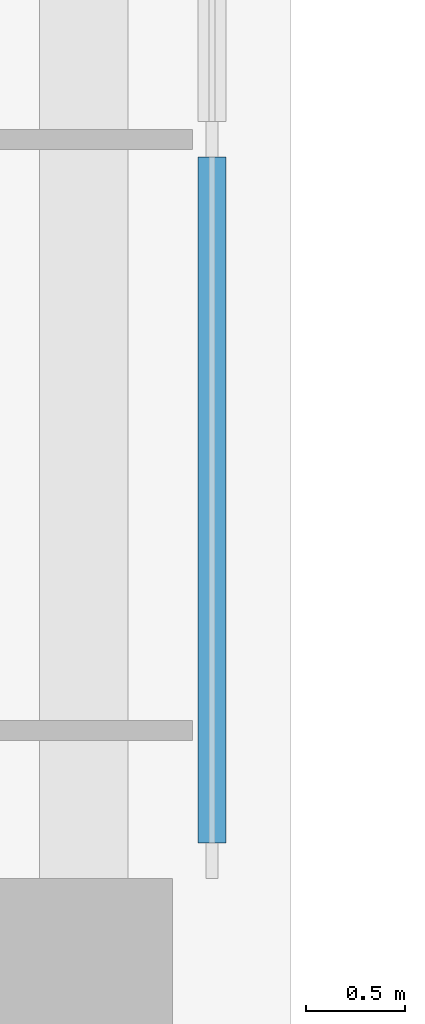
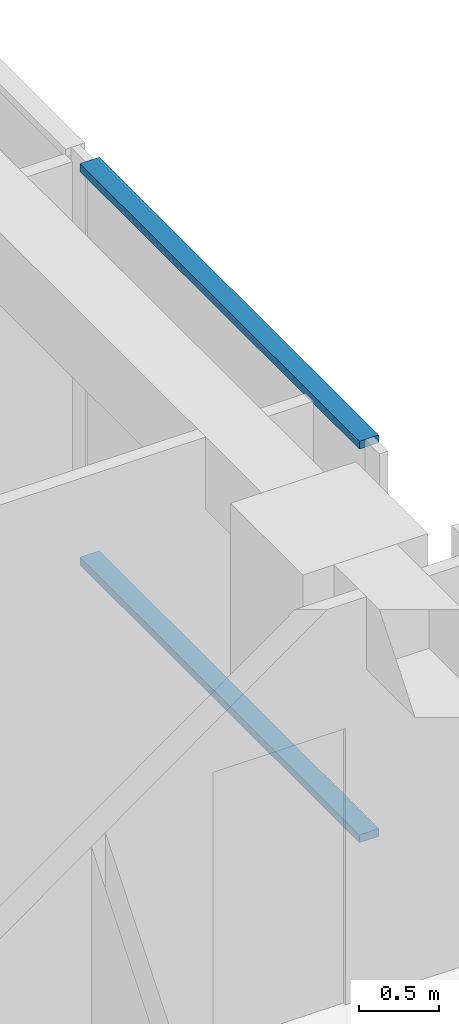
# One storey, part 5 of 18: 2 members, 1 element without a shape of its own.
"""IFC4 building model written with IfcOpenShell, lengths in metres."""

import ifcopenshell
import ifcopenshell.guid

model = None  # the IFC model being written
_history = None  # IfcOwnerHistory: only IFC2X3 demands one
_inside = {}  # id of a spatial element -> (the spatial element, [elements in it])
_under = {}  # id of a project, library or spatial element -> (it, [spatial elements below it])
_declared = {}  # id of a project -> (the project, [libraries it declares])
_typed = {}  # id of a type object -> (the type object, [elements of that type])
_made_of = {}  # id of a material, layer set ... -> (it, [elements and type objects made of it])


def new_model(schema):
    """Start an empty IFC model of exactly this schema.

    Asked for "IFC4X3", IfcOpenShell would pick the latest addendum, in which some entities
    have other attributes; the version numbers below select the first issue.
    IFC2X3 requires an IfcOwnerHistory on every rooted entity: one is made here for all.
    """
    global model, _history
    if schema == "IFC4X3":
        model = ifcopenshell.file(schema_version=(4, 3, 0, 0))
    else:
        model = ifcopenshell.file(schema=schema)
    _inside.clear()
    _under.clear()
    _declared.clear()
    _typed.clear()
    _made_of.clear()
    _history = None
    if model.schema == "IFC2X3":
        org = make("IfcOrganization", Name="unknown")
        user = make(
            "IfcPersonAndOrganization",
            ThePerson=make("IfcPerson", FamilyName="unknown"),
            TheOrganization=org,
        )
        app = make(
            "IfcApplication",
            ApplicationDeveloper=org,
            Version="unknown",
            ApplicationFullName="unknown",
            ApplicationIdentifier="unknown",
        )
        _history = make(
            "IfcOwnerHistory",
            OwningUser=user,
            OwningApplication=app,
            ChangeAction="ADDED",
            CreationDate=0,
        )
    return model


def make(cls, **values):
    """One entity of the class cls with the attributes given. An attribute that is None is left unset."""
    return model.create_entity(
        cls, **{name: value for name, value in values.items() if value is not None}
    )


def rooted(cls, **values):
    """An entity with a GlobalId (a new one), such as an element, a storey or a relation."""
    return make(cls, GlobalId=ifcopenshell.guid.new(), OwnerHistory=_history, **values)


def si_unit(unit_type, name, prefix=None):
    """IfcSIUnit, for example si_unit("LENGTHUNIT", "METRE", prefix="MILLI")."""
    return make("IfcSIUnit", UnitType=unit_type, Prefix=prefix, Name=name)


def assignment(units):
    """IfcUnitAssignment: the units of a project."""
    return None if units is None else make("IfcUnitAssignment", Units=units)


def point(xyz):
    """IfcCartesianPoint."""
    return None if xyz is None else make("IfcCartesianPoint", Coordinates=xyz)


def direction(xyz):
    """IfcDirection."""
    return None if xyz is None else make("IfcDirection", DirectionRatios=xyz)


def frame(location, z_axis=None, x_axis=None):
    """IfcAxis2Placement3D, a coordinate frame: its origin and axes. An axis left out is left unset."""
    return make(
        "IfcAxis2Placement3D",
        Location=point(location),
        Axis=direction(z_axis),
        RefDirection=direction(x_axis),
    )


def frame_2d(location, x_axis=None):
    """IfcAxis2Placement2D, a coordinate frame in the plane: its origin and x axis."""
    return make(
        "IfcAxis2Placement2D", Location=point(location), RefDirection=direction(x_axis)
    )


def origin():
    """The frame at (0, 0, 0) with its axes left unset."""
    return frame((0.0, 0.0, 0.0))


def origin_2d():
    """The frame at (0, 0) in the plane with its x axis left unset."""
    return frame_2d((0.0, 0.0))


def place(relative_to, where):
    """IfcLocalPlacement: puts the frame where relative to a parent placement (None: the world)."""
    return make(
        "IfcLocalPlacement", PlacementRelTo=relative_to, RelativePlacement=where
    )


def context(
    kind, dimensions, precision=None, world=None, true_north=None, identifier=None
):
    """IfcGeometricRepresentationContext, for example the 3D "Model" context."""
    return make(
        "IfcGeometricRepresentationContext",
        ContextIdentifier=identifier,
        ContextType=kind,
        CoordinateSpaceDimension=dimensions,
        Precision=precision,
        WorldCoordinateSystem=world,
        TrueNorth=true_north,
    )


def subcontext(parent, identifier, kind, view, scale=None):
    """IfcGeometricRepresentationSubContext, for example "Body" below "Model"."""
    return make(
        "IfcGeometricRepresentationSubContext",
        ContextIdentifier=identifier,
        ContextType=kind,
        ParentContext=parent,
        TargetScale=scale,
        TargetView=view,
    )


def project(units=None, contexts=None):
    """IfcProject with its units and contexts."""
    return rooted(
        "IfcProject",
        Name="project",
        RepresentationContexts=contexts,
        UnitsInContext=assignment(units),
    )


def spatial(cls, under=None, at=None, **own):
    """A site, building, storey or space (cls), placed at a placement, below another one or the project."""
    s = rooted(cls, ObjectPlacement=at, **own)
    if under is not None:
        _under.setdefault(under.id(), (under, []))[1].append(s)
    return s


def profile(cls, at=None, kind="AREA", **sizes):
    """A parametric profile (cls). Its sizes go by their IFC names, for example OverallWidth=200.0."""
    return make(cls, ProfileType=kind, Position=at, **sizes)


def rectangle(**sizes):
    """IfcRectangleProfileDef."""
    return profile("IfcRectangleProfileDef", **sizes)


def extrude(swept, where, along, depth):
    """IfcExtrudedAreaSolid: the profile swept, set in the frame where, extruded along a direction by depth."""
    return make(
        "IfcExtrudedAreaSolid",
        SweptArea=swept,
        Position=where,
        ExtrudedDirection=direction(along),
        Depth=depth,
    )


def shape(context_of_items, identifier, shape_type, items):
    """IfcShapeRepresentation: the items that make up one representation, for example the "Body"."""
    return make(
        "IfcShapeRepresentation",
        ContextOfItems=context_of_items,
        RepresentationIdentifier=identifier,
        RepresentationType=shape_type,
        Items=items,
    )


def material(Name=None, Category=None):
    """IfcMaterial."""
    return make("IfcMaterial", Name=Name, Category=Category)


def material_profile(
    of_material, cross_section, Name=None, Category=None, Priority=None
):
    """IfcMaterialProfile: a cross section and its material."""
    return make(
        "IfcMaterialProfile",
        Name=Name,
        Material=of_material,
        Profile=cross_section,
        Priority=Priority,
        Category=Category,
    )


def profile_set(profiles, Name=None, composite=None):
    """IfcMaterialProfileSet."""
    return make(
        "IfcMaterialProfileSet",
        Name=Name,
        MaterialProfiles=profiles,
        CompositeProfile=composite,
    )


def made_of(thing, what):
    """Note that an element or type object is made of a material, layer set ...; save() writes the relation."""
    if what is not None:
        _made_of.setdefault(what.id(), (what, []))[1].append(thing)
    return thing


def type_object(cls, material=None, **own):
    """A type object (cls), such as IfcWallType, which elements share."""
    return made_of(rooted(cls, **own), material)


def element(
    cls,
    number,
    at=None,
    inside=None,
    cuts=None,
    type_object=None,
    material=None,
    context=None,
    identifier="Body",
    shape_type=None,
    held_by="IfcProductDefinitionShape",
    body=None,
    shapes=None,
    **own,
):
    """One element of the class cls, such as IfcWall. Its Tag is "e" and its number.

    at: its placement. inside: the storey or other place that contains it. cuts: it is an
    opening in that element (IfcRelVoidsElement). A single representation is given by context,
    identifier, shape_type and body (its items); several are given by shapes. held_by: the class
    of the entity that holds the representations. save() writes the other relations.
    """
    e = rooted(cls, Tag="e%d" % number, ObjectPlacement=at, **own)
    if body is not None:
        shapes = [shape(context, identifier, shape_type, body)]
    if shapes is not None:
        e.Representation = make(held_by, Representations=shapes)
    if inside is not None:
        _inside.setdefault(inside.id(), (inside, []))[1].append(e)
    if cuts is not None:
        rooted(
            "IfcRelVoidsElement", RelatingBuildingElement=cuts, RelatedOpeningElement=e
        )
    if type_object is not None:
        _typed.setdefault(type_object.id(), (type_object, []))[1].append(e)
    return made_of(e, material)


def aggregate(whole, parts):
    """IfcRelAggregates: a whole, such as a stair, and the parts it consists of."""
    return rooted("IfcRelAggregates", RelatingObject=whole, RelatedObjects=parts)


def save(model, path):
    """Write the relations noted so far, then the file.

    IfcRelAggregates (storeys below a building ...), IfcRelContainedInSpatialStructure (elements
    in a storey), IfcRelDefinesByType, IfcRelAssociatesMaterial and IfcRelDeclares: one each for
    every whole, place, type object, material and project.
    """
    for whole, parts in _under.values():
        aggregate(whole, parts)
    for where, things in _inside.values():
        rooted(
            "IfcRelContainedInSpatialStructure",
            RelatedElements=things,
            RelatingStructure=where,
        )
    for kind, things in _typed.values():
        rooted("IfcRelDefinesByType", RelatedObjects=things, RelatingType=kind)
    for what, things in _made_of.values():
        rooted("IfcRelAssociatesMaterial", RelatedObjects=things, RelatingMaterial=what)
    for by, libraries in _declared.values():
        rooted("IfcRelDeclares", RelatingContext=by, RelatedDefinitions=libraries)
    model.write(path)


model = new_model("IFC4")

# Units and contexts
model_context = context("Model", 3, precision=1e-05, world=origin(), true_north=direction((0.0, 1.0)))
body_context = subcontext(model_context, "Body", "Model", "MODEL_VIEW")
ifc_project = project(units=[si_unit("LENGTHUNIT", "METRE"), si_unit("AREAUNIT", "SQUARE_METRE"), si_unit("VOLUMEUNIT", "CUBIC_METRE"), si_unit("PLANEANGLEUNIT", "RADIAN"), si_unit("MASSUNIT", "GRAM", prefix="KILO")], contexts=[model_context])

# Site, building, storey
site_placement = place(None, origin())
site = spatial("IfcSite", under=ifc_project, at=site_placement, CompositionType="ELEMENT")
building_placement = place(site_placement, origin())
building = spatial("IfcBuilding", under=site, at=building_placement, Name="Vermilion Ogive Tower", CompositionType="ELEMENT")
storey_placement = place(building_placement, frame((0.0, 0.0, 230.35009765625)))
storey = spatial("IfcBuildingStorey", under=building, at=storey_placement, Name="L60", CompositionType="ELEMENT", Elevation=230.35009765625)

# Curtain wall, members
ifc_material_1 = material(Name="Low-iron laminated glazing in aluminium frame", Category="aluminium")
curtain_wall_type = type_object("IfcCurtainWallType", Name="Curtain wall CW7", PredefinedType="NOTDEFINED", material=ifc_material_1)
curtain_wall_placement = place(storey_placement, origin())
curtain_wall = element("IfcCurtainWall", 1, at=curtain_wall_placement, inside=storey, type_object=curtain_wall_type, Name="Glazed skin E3", PredefinedType="NOTDEFINED")
ifc_material_2 = material(Name="Aluminium transom", Category="aluminium")
ifc_material_profile = material_profile(ifc_material_2, rectangle(XDim=0.139892578125, YDim=0.06005859375, at=origin_2d()), Name="AL 60x140")
ifc_profile_set = profile_set([ifc_material_profile], Name="Aluminium transom")
member_type = type_object("IfcMemberType", Name="CW7 transom 60x140", PredefinedType="USERDEFINED", material=ifc_profile_set)
member_1_placement = place(storey_placement, frame((25.85009765625, 4.830078125, 0.02978515625), z_axis=(0.0, 1.0, 0.0), x_axis=(-1.0, 0.0, 0.0)))
member_1 = element("IfcMember", 2, at=member_1_placement, type_object=member_type, Name="CW7-E3 transom 1.1", ObjectType="TRANSOM", PredefinedType="USERDEFINED", context=body_context, shape_type="SweptSolid", body=[
    extrude(rectangle(XDim=0.139892578125, YDim=0.06005859375, at=origin_2d()), origin(), (0.0, 0.0, 1.0), 3.47998046875),
])
member_2_placement = place(storey_placement, frame((25.85009765625, 4.830078125, 3.02001953125), z_axis=(0.0, 1.0, 0.0), x_axis=(-1.0, 0.0, 0.0)))
member_2 = element("IfcMember", 3, at=member_2_placement, type_object=member_type, Name="CW7-E3 transom 1.2", ObjectType="TRANSOM", PredefinedType="USERDEFINED", context=body_context, shape_type="SweptSolid", body=[
    extrude(rectangle(XDim=0.139892578125, YDim=0.06005859375, at=origin_2d()), origin(), (0.0, 0.0, 1.0), 3.47998046875),
])
aggregate(curtain_wall, [member_1, member_2])

save(model, "model.ifc")
